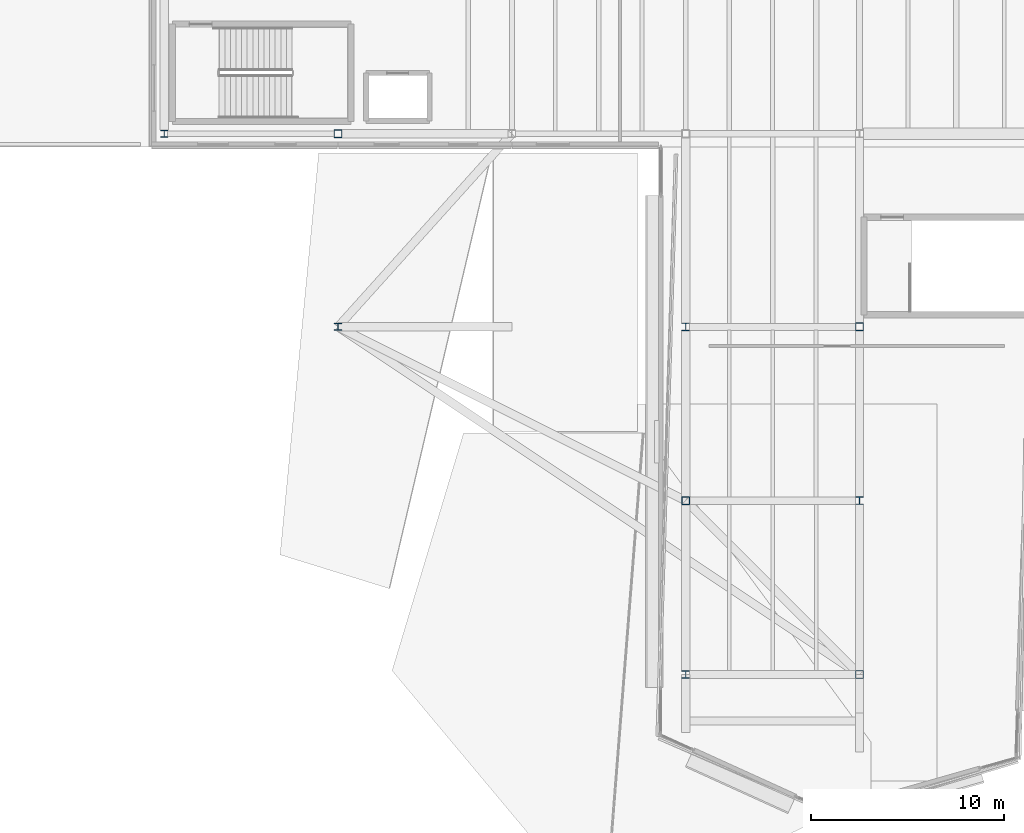
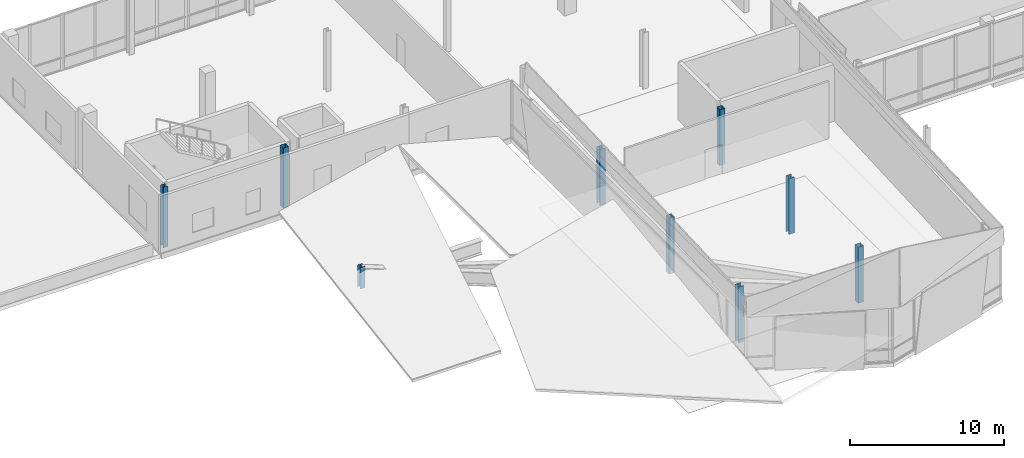
# One storey, part 1 of 41: 9 columns.
"""IFC4 building model written with IfcOpenShell, lengths in metres."""

from ifc_helpers import new_model, si_unit, direction, frame, origin, origin_2d, place, context, subcontext, project, spatial, hollow_rectangle, i_section, extrude, material, material_profile, profile_set, type_object, element, save


model = new_model("IFC4")

# Units and contexts
model_context = context("Model", 3, precision=1e-05, world=origin(), true_north=direction((0.0, 1.0)))
body_context = subcontext(model_context, "Body", "Model", "MODEL_VIEW")
ifc_project = project(units=[si_unit("LENGTHUNIT", "METRE"), si_unit("AREAUNIT", "SQUARE_METRE"), si_unit("VOLUMEUNIT", "CUBIC_METRE"), si_unit("PLANEANGLEUNIT", "RADIAN"), si_unit("MASSUNIT", "GRAM", prefix="KILO")], contexts=[model_context])

# Site, building, storey
site_placement = place(None, origin())
site = spatial("IfcSite", under=ifc_project, at=site_placement, CompositionType="ELEMENT")
building_placement = place(site_placement, origin())
building = spatial("IfcBuilding", under=site, at=building_placement, Name="Trimount Lyric Opera House", CompositionType="ELEMENT")
storey_placement = place(building_placement, frame((0.0, 0.0, 20.0)))
storey = spatial("IfcBuildingStorey", under=building, at=storey_placement, Name="L04", CompositionType="ELEMENT", Elevation=20.0)

# Columns
ifc_material_1 = material(Name="Steel ASTM A992 Grade 50", Category="steel")
ifc_material_profile_1 = material_profile(ifc_material_1, i_section(OverallWidth=0.406005859375, OverallDepth=0.4169921875, WebThickness=0.02978515625, FlangeThickness=0.048095703125, FilletRadius=0.01806640625, at=origin_2d()), Name="W14X257")
ifc_profile_set_1 = profile_set([ifc_material_profile_1], Name="Steel ASTM A992 Grade 50")
column_type_1 = type_object("IfcColumnType", Name="C-02", PredefinedType="COLUMN", material=ifc_profile_set_1)
for number, where, z_axis, x_axis, name in (
    (1, (45.0, 26.0, 0.0), (0.0, 0.0, 1.0), (1.0, 0.0, 0.0), "L04 column 6/D"),
    (2, (45.0, 44.0, 0.0), (0.0, 0.0, 1.0), (1.0, 0.0, 0.0), "L04 column 6/F"),
    (3, (54.0, 35.0, 0.0), (0.0, 0.0, 1.0), (1.0, 0.0, 0.0), "L04 column 7/E"),
):
    element("IfcColumn", number, at=place(storey_placement, frame(where, z_axis=z_axis, x_axis=x_axis)), inside=storey, type_object=column_type_1, Name=name, PredefinedType="COLUMN", context=body_context, shape_type="SweptSolid", body=[
        extrude(i_section(OverallWidth=0.406005859375, OverallDepth=0.4169921875, WebThickness=0.02978515625, FlangeThickness=0.048095703125, FilletRadius=0.01806640625, at=origin_2d()), origin(), (0.0, 0.0, 1.0), 4.43994140625),
    ])
ifc_material_2 = material(Name="Steel ASTM A992 Grade 50", Category="steel")
ifc_material_profile_2 = material_profile(ifc_material_2, i_section(OverallWidth=0.367919921875, OverallDepth=0.35595703125, WebThickness=0.01123046875, FlangeThickness=0.01806640625, FilletRadius=0.014892578125, at=origin_2d()), Name="W14X90")
ifc_profile_set_2 = profile_set([ifc_material_profile_2], Name="Steel ASTM A992 Grade 50")
column_type_2 = type_object("IfcColumnType", Name="C-05", PredefinedType="COLUMN", material=ifc_profile_set_2)
column_1_placement = place(storey_placement, frame((18.0, 54.0, 0.0), z_axis=(0.0, 0.0, 1.0), x_axis=(1.0, 0.0, 0.0)))
element("IfcColumn", 4, at=column_1_placement, inside=storey, type_object=column_type_2, Name="L04 column 3/G", PredefinedType="COLUMN", context=body_context, shape_type="SweptSolid", body=[
    extrude(i_section(OverallWidth=0.367919921875, OverallDepth=0.35595703125, WebThickness=0.01123046875, FlangeThickness=0.01806640625, FilletRadius=0.014892578125, at=origin_2d()), origin(), (0.0, 0.0, 1.0), 4.800048828125),
])
column_2_placement = place(storey_placement, frame((27.0, 44.0, -0.360107421875), z_axis=(0.0, 0.0, 1.0), x_axis=(1.0, 0.0, 0.0)))
element("IfcColumn", 5, at=column_2_placement, inside=storey, type_object=column_type_2, Name="L04 crystal roof column 27/44", PredefinedType="COLUMN", context=body_context, shape_type="SweptSolid", body=[
    extrude(i_section(OverallWidth=0.367919921875, OverallDepth=0.35595703125, WebThickness=0.01123046875, FlangeThickness=0.01806640625, FilletRadius=0.014892578125, at=origin_2d()), origin(), (0.0, 0.0, 1.0), 1.710205078125),
])
ifc_material_3 = material(Name="Steel ASTM A500 Grade C", Category="steel")
ifc_material_profile_3 = material_profile(ifc_material_3, hollow_rectangle(XDim=0.406494140625, YDim=0.406494140625, WallThickness=0.014892578125, InnerFilletRadius=0.01513671875, OuterFilletRadius=0.030029296875, at=origin_2d()), Name="HSS406.4X406.4X15.9")
ifc_profile_set_3 = profile_set([ifc_material_profile_3], Name="Steel ASTM A500 Grade C")
column_type_3 = type_object("IfcColumnType", Name="C-07", PredefinedType="COLUMN", material=ifc_profile_set_3)
column_3_placement = place(storey_placement, frame((27.0, 54.0, 0.0), z_axis=(0.0, 0.0, 1.0), x_axis=(1.0, 0.0, 0.0)))
element("IfcColumn", 6, at=column_3_placement, inside=storey, type_object=column_type_3, Name="L04 column 4/G", PredefinedType="COLUMN", context=body_context, shape_type="SweptSolid", body=[
    extrude(hollow_rectangle(XDim=0.406494140625, YDim=0.406494140625, WallThickness=0.014892578125, InnerFilletRadius=0.01513671875, OuterFilletRadius=0.030029296875, at=origin_2d()), origin(), (0.0, 0.0, 1.0), 4.800048828125),
])
for number, where, z_axis, x_axis, name in (
    (7, (45.0, 35.0, 0.0), (0.0, 0.0, 1.0), (1.0, 0.0, 0.0), "L04 column 6/E"),
    (8, (54.0, 26.0, 0.0), (0.0, 0.0, 1.0), (1.0, 0.0, 0.0), "L04 column 7/D"),
    (9, (54.0, 44.0, 0.0), (0.0, 0.0, 1.0), (1.0, 0.0, 0.0), "L04 column 7/F"),
):
    element("IfcColumn", number, at=place(storey_placement, frame(where, z_axis=z_axis, x_axis=x_axis)), inside=storey, type_object=column_type_3, Name=name, PredefinedType="COLUMN", context=body_context, shape_type="SweptSolid", body=[
        extrude(hollow_rectangle(XDim=0.406494140625, YDim=0.406494140625, WallThickness=0.014892578125, InnerFilletRadius=0.01513671875, OuterFilletRadius=0.030029296875, at=origin_2d()), origin(), (0.0, 0.0, 1.0), 4.43994140625),
    ])

save(model, "model.ifc")
